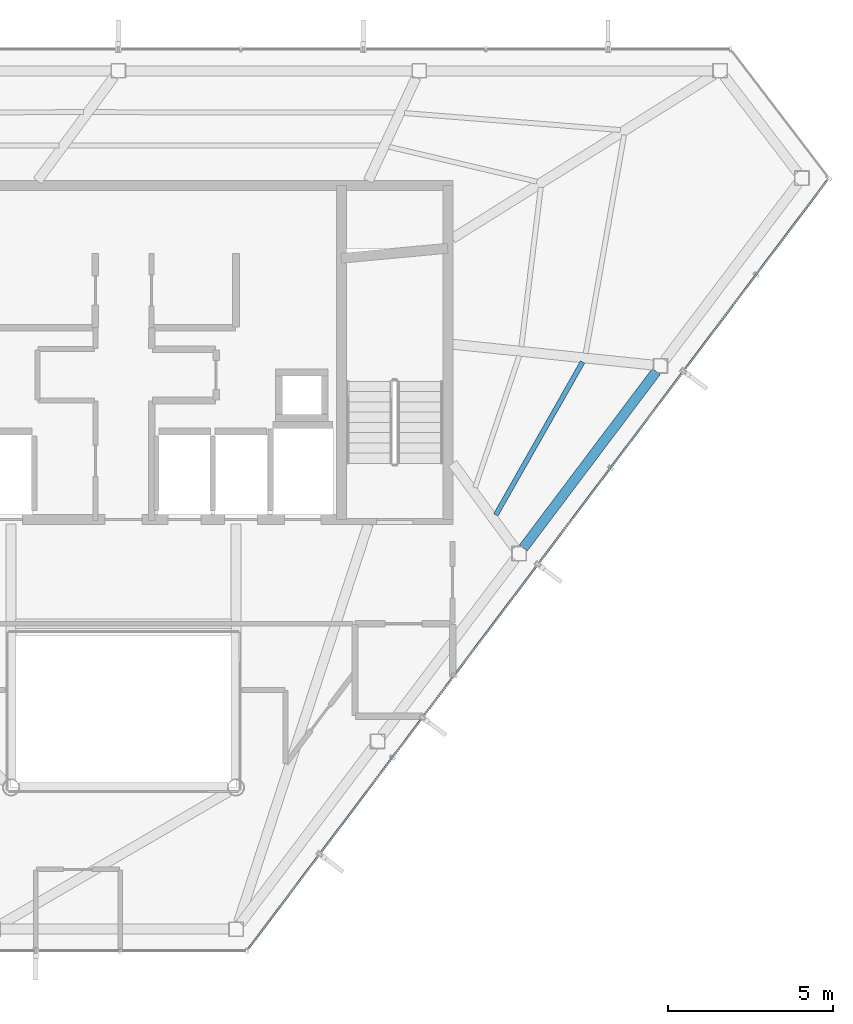
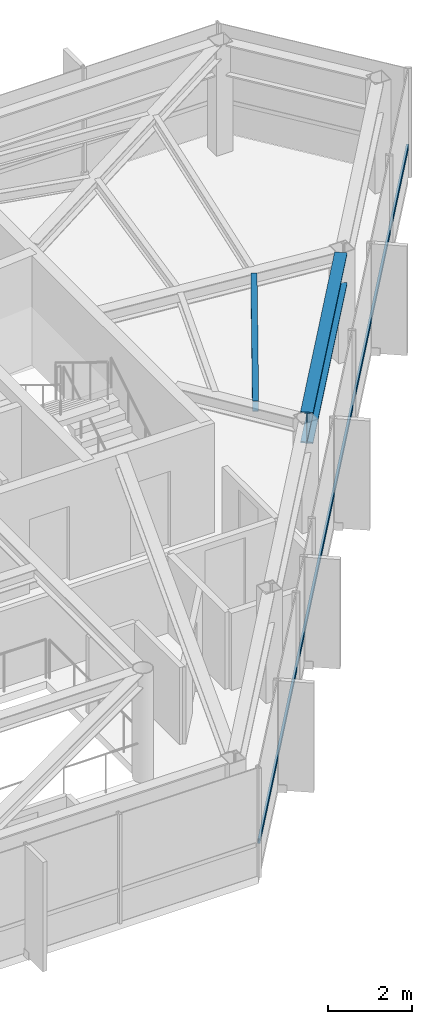
# One storey, part 16 of 22: 2 beams, 1 member, 1 element without a shape of its own.
"""IFC4 building model written with IfcOpenShell, lengths in metres."""

from ifc_helpers import new_model, si_unit, direction, frame, origin, origin_2d, place, context, subcontext, project, spatial, hollow_rectangle, i_section, extrude, material, layer, layer_set, material_profile, profile_set, type_object, element, aggregate, save


model = new_model("IFC4")

# Units and contexts
model_context = context("Model", 3, precision=1e-05, world=origin(), true_north=direction((0.0, 1.0)))
body_context = subcontext(model_context, "Body", "Model", "MODEL_VIEW")
ifc_project = project(units=[si_unit("LENGTHUNIT", "METRE"), si_unit("AREAUNIT", "SQUARE_METRE"), si_unit("VOLUMEUNIT", "CUBIC_METRE"), si_unit("PLANEANGLEUNIT", "RADIAN"), si_unit("MASSUNIT", "GRAM", prefix="KILO")], contexts=[model_context])

# Site, building, storey
site_placement = place(None, origin())
site = spatial("IfcSite", under=ifc_project, at=site_placement, CompositionType="ELEMENT")
building_placement = place(site_placement, origin())
building = spatial("IfcBuilding", under=site, at=building_placement, Name="Zarrinselat Tower", CompositionType="ELEMENT")
storey_placement = place(building_placement, frame((0.0, 0.0, 292.39990234375)))
storey = spatial("IfcBuildingStorey", under=building, at=storey_placement, Name="L75", CompositionType="ELEMENT", Elevation=292.39990234375)

# Beams
ifc_material_1 = material(Name="Steel S460M", Category="steel")
ifc_material_profile_1 = material_profile(ifc_material_1, i_section(OverallWidth=0.302001953125, OverallDepth=0.909912109375, WebThickness=0.02099609375, FlangeThickness=0.0400390625, at=origin_2d()), Name="HEM 900")
ifc_profile_set_1 = profile_set([ifc_material_profile_1], Name="Steel S460M")
beam_type_1 = type_object("IfcBeamType", Name="BM-HEM900", PredefinedType="BEAM", material=ifc_profile_set_1)
beam_1_placement = place(storey_placement, frame((50.48681640625, 32.438720703125, 2.72509765625), z_axis=(0.601664813765, 0.798748678795, 0.0), x_axis=(-0.798748678795, 0.601664813765, 0.0)))
element("IfcBeam", 1, at=beam_1_placement, inside=storey, type_object=beam_type_1, Name="L75 Perimeter Spandrel Girder SP13", PredefinedType="BEAM", context=body_context, shape_type="SweptSolid", body=[
    extrude(i_section(OverallWidth=0.302001953125, OverallDepth=0.909912109375, WebThickness=0.02099609375, FlangeThickness=0.0400390625, at=origin_2d()), origin(), (0.0, 0.0, 1.0), 6.681884765625),
])
ifc_material_2 = material(Name="Steel S355J2", Category="steel")
ifc_material_profile_2 = material_profile(ifc_material_2, i_section(OverallWidth=0.14990234375, OverallDepth=0.300048828125, WebThickness=0.007080078125, FlangeThickness=0.0107421875, at=origin_2d()), Name="IPE 300")
ifc_profile_set_2 = profile_set([ifc_material_profile_2], Name="Steel S355J2")
beam_type_2 = type_object("IfcBeamType", Name="BM-IPE300", PredefinedType="JOIST", material=ifc_profile_set_2)
beam_2_placement = place(storey_placement, frame((49.656005859375, 33.439697265625, 3.030029296875), z_axis=(0.493683450613, 0.869641679424, 0.0), x_axis=(-0.869641679424, 0.493683450613, 0.0)))
element("IfcBeam", 2, at=beam_2_placement, inside=storey, type_object=beam_type_2, Name="L75 Composite Floor Joist 4-1", PredefinedType="JOIST", context=body_context, shape_type="SweptSolid", body=[
    extrude(i_section(OverallWidth=0.14990234375, OverallDepth=0.300048828125, WebThickness=0.007080078125, FlangeThickness=0.0107421875, at=origin_2d()), origin(), (0.0, 0.0, 1.0), 5.315185546875),
])

# Curtain wall, member
ifc_material_3 = material(Name="Extruded Aluminium Alloy EN AW-6063 T6", Category="aluminium")
ifc_layer = layer(ifc_material_3, 0.199951171875)
ifc_layer_set = layer_set([ifc_layer], Name="Extruded Aluminium Alloy EN AW-6063 T6")
curtain_wall_type = type_object("IfcCurtainWallType", Name="CWS-BLADE", PredefinedType="NOTDEFINED", material=ifc_layer_set)
curtain_wall_placement = place(storey_placement, origin())
curtain_wall = element("IfcCurtainWall", 3, at=curtain_wall_placement, inside=storey, type_object=curtain_wall_type, Name="L75 Unitised Curtain Wall CW-L75-E05", PredefinedType="NOTDEFINED")
ifc_material_4 = material(Name="Extruded Aluminium Alloy EN AW-6063 T6", Category="aluminium")
ifc_material_profile_3 = material_profile(ifc_material_4, hollow_rectangle(XDim=0.06005859375, YDim=0.139892578125, WallThickness=0.00390625, at=origin_2d()), Name="RHS 140x60x4")
ifc_profile_set_3 = profile_set([ifc_material_profile_3], Name="Extruded Aluminium Alloy EN AW-6063 T6")
member_type = type_object("IfcMemberType", Name="MEM-CW-TRN", PredefinedType="USERDEFINED", material=ifc_profile_set_3)
member_placement = place(storey_placement, frame((42.18408203125, 20.336181640625, 0.9501953125), z_axis=(0.601670426003, 0.798744451294, 0.0), x_axis=(-0.798744451294, 0.601670426003, 0.0)))
member = element("IfcMember", 4, at=member_placement, type_object=member_type, Name="CW-L75-E05 Transom 1", ObjectType="TRANSOM", PredefinedType="USERDEFINED", context=body_context, shape_type="SweptSolid", body=[
    extrude(hollow_rectangle(XDim=0.06005859375, YDim=0.139892578125, WallThickness=0.00390625, at=origin_2d()), origin(), (0.0, 0.0, 1.0), 29.06787109375),
])
aggregate(curtain_wall, [member])

save(model, "model.ifc")
